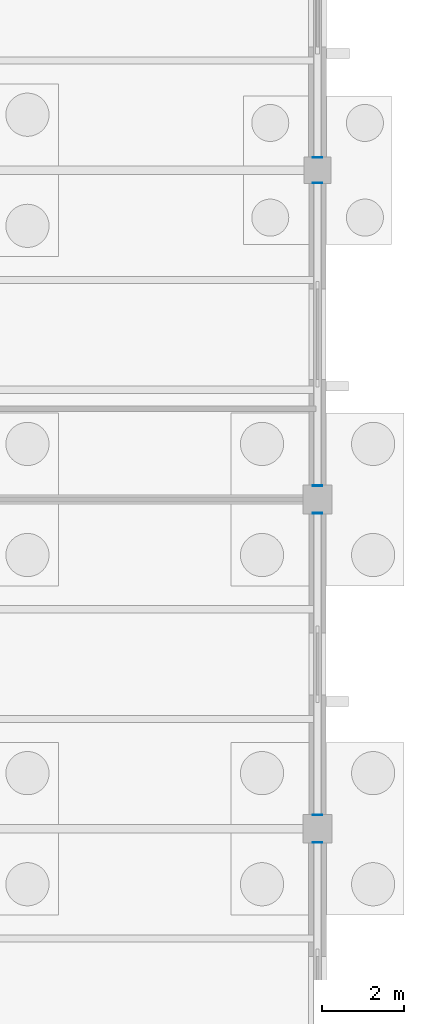
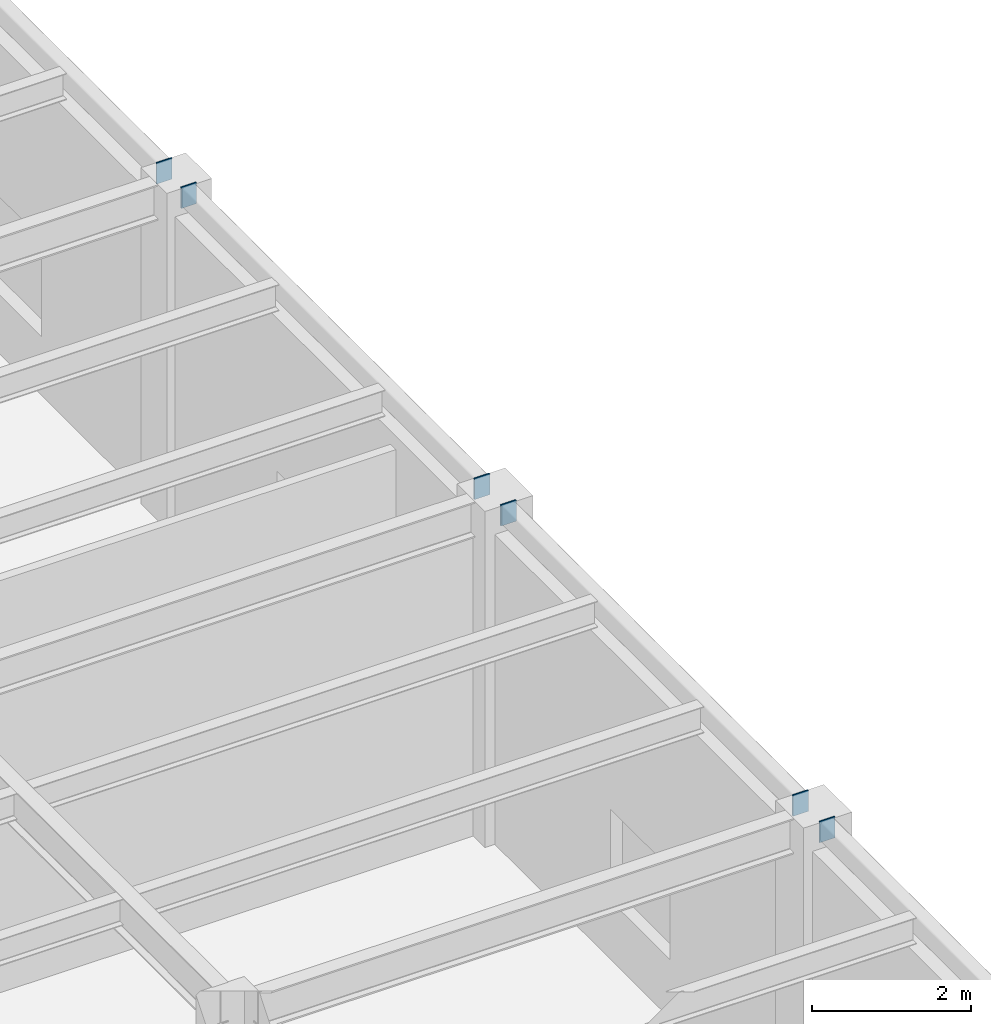
# One storey, part 122 of 138: 6 discrete accessories.
"""IFC4 building model written with IfcOpenShell, lengths in metres."""

from ifc_helpers import new_model, si_unit, direction, frame, origin, origin_2d, place, context, subcontext, project, spatial, rectangle, extrude, material, layer, layer_set, type_object, element, save


model = new_model("IFC4")

# Units and contexts
model_context = context("Model", 3, precision=1e-05, world=origin(), true_north=direction((0.0, 1.0)))
body_context = subcontext(model_context, "Body", "Model", "MODEL_VIEW")
ifc_project = project(units=[si_unit("LENGTHUNIT", "METRE"), si_unit("AREAUNIT", "SQUARE_METRE"), si_unit("VOLUMEUNIT", "CUBIC_METRE"), si_unit("PLANEANGLEUNIT", "RADIAN"), si_unit("MASSUNIT", "GRAM", prefix="KILO")], contexts=[model_context])

# Site, building, storey
site_placement = place(None, origin())
site = spatial("IfcSite", under=ifc_project, at=site_placement, CompositionType="ELEMENT")
building_placement = place(site_placement, origin())
building = spatial("IfcBuilding", under=site, at=building_placement, Name="Kranzveld Transit Interchange", CompositionType="ELEMENT")
storey_placement = place(building_placement, origin())
storey = spatial("IfcBuildingStorey", under=building, at=storey_placement, Name="L00", CompositionType="ELEMENT", Elevation=0.0)

# Discrete accessories
ifc_material = material(Name="Steel S355JR", Category="steel")
ifc_layer = layer(ifc_material, 0.02001953125)
ifc_layer_set = layer_set([ifc_layer], Name="Steel S355JR")
discrete_accessory_type = type_object("IfcDiscreteAccessoryType", Name="Hollow Section End Cap Bracket 20 S355JR", PredefinedType="BRACKET", material=ifc_layer_set)
for number, where, z_axis, x_axis, name in (
    (1, (168.0, 87.656005859375, 5.0), (0.0, 1.0, 0.0), (-1.0, 0.0, 0.0), "Hollow Section End Cap SP-RHS300-2"),
    (2, (168.0, 88.343994140625, 5.0), (0.0, -1.0, 0.0), (1.0, 0.0, 0.0), "Hollow Section End Cap SP-RHS300-1"),
    (3, (168.0, 95.656005859375, 5.0), (0.0, 1.0, 0.0), (-1.0, 0.0, 0.0), "Hollow Section End Cap SP-RHS300-2"),
    (4, (168.0, 96.343994140625, 5.0), (0.0, -1.0, 0.0), (1.0, 0.0, 0.0), "Hollow Section End Cap SP-RHS300-1"),
    (5, (168.0, 103.680908203125, 5.0), (0.0, 1.0, 0.0), (-1.0, 0.0, 0.0), "Hollow Section End Cap SP-RHS300-2"),
    (6, (168.0, 104.319091796875, 5.0), (0.0, -1.0, 0.0), (1.0, 0.0, 0.0), "Hollow Section End Cap SP-RHS300-1"),
):
    element("IfcDiscreteAccessory", number, at=place(storey_placement, frame(where, z_axis=z_axis, x_axis=x_axis)), inside=storey, type_object=discrete_accessory_type, Name=name, PredefinedType="BRACKET", context=body_context, shape_type="SweptSolid", body=[
        extrude(rectangle(XDim=0.22412109375, YDim=0.323974609375, at=origin_2d()), origin(), (0.0, 0.0, 1.0), 0.02001953125),
    ])

save(model, "model.ifc")
